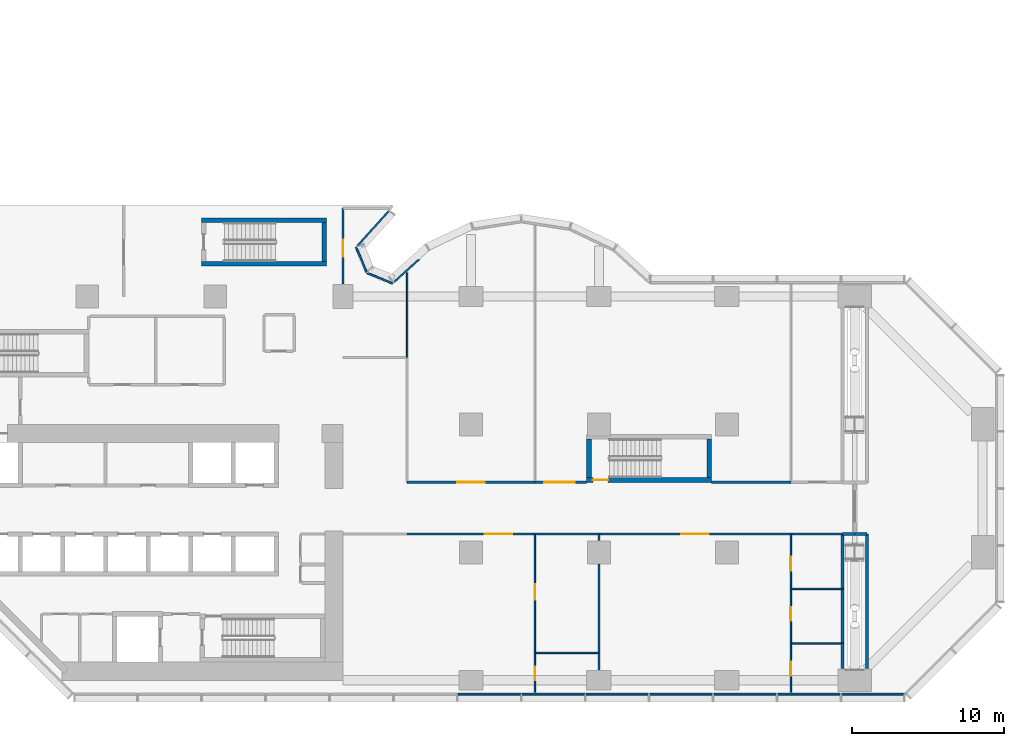
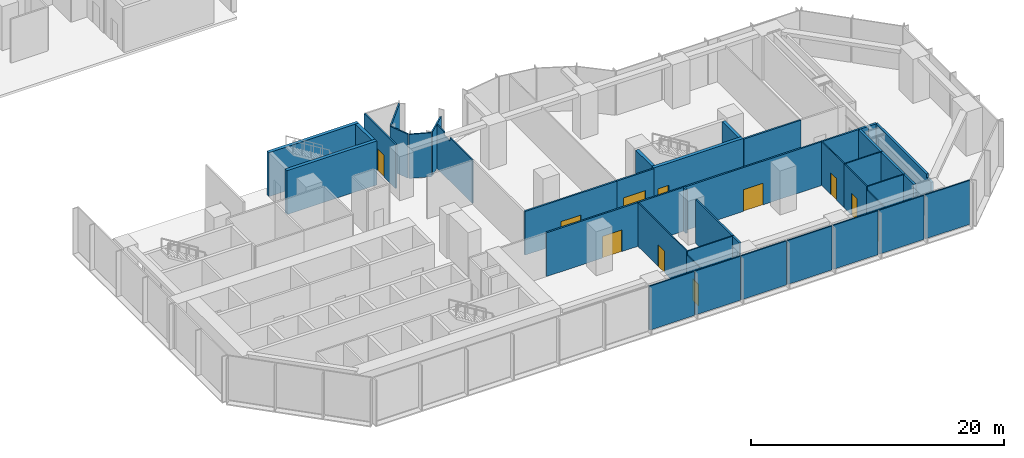
# One storey, part 11 of 18: 43 walls, 11 doors, 11 openings.
"""IFC4 building model written with IfcOpenShell, lengths in metres."""

from ifc_helpers import new_model, si_unit, direction, frame, frame_2d, origin, place, context, subcontext, project, spatial, polyline, rectangle, outline, extrude, material, layer, layer_set, type_object, element, fill, save


model = new_model("IFC4")

# Units and contexts
model_context = context("Model", 3, precision=1e-05, world=origin(), true_north=direction((0.0, 1.0)))
body_context = subcontext(model_context, "Body", "Model", "MODEL_VIEW")
ifc_project = project(units=[si_unit("LENGTHUNIT", "METRE"), si_unit("AREAUNIT", "SQUARE_METRE"), si_unit("VOLUMEUNIT", "CUBIC_METRE"), si_unit("PLANEANGLEUNIT", "RADIAN"), si_unit("MASSUNIT", "GRAM", prefix="KILO")], contexts=[model_context])

# Site, building, storey
site_placement = place(None, origin())
site = spatial("IfcSite", under=ifc_project, at=site_placement, CompositionType="ELEMENT")
building_placement = place(site_placement, origin())
building = spatial("IfcBuilding", under=site, at=building_placement, Name="Brevane Broadcast Tower", CompositionType="ELEMENT")
storey_placement = place(building_placement, frame((0.0, 0.0, 27.5)))
storey = spatial("IfcBuildingStorey", under=building, at=storey_placement, Name="L04", CompositionType="ELEMENT", Elevation=27.5)

# Walls
ifc_material_1 = material(Name="Concrete C80/95", Category="concrete")
ifc_layer_1 = layer(ifc_material_1, 0.300048828125)
ifc_layer_set_1 = layer_set([ifc_layer_1], Name="Core wall 300 mm C80/95")
wall_type_1 = type_object("IfcWallType", Name="Core wall 300 mm C80/95", PredefinedType="SHEAR", material=ifc_layer_set_1)
for number, where, z_axis, x_axis, name in (
    (1, (15.89990234375, 27.35009765625, 0.0), (0.0, 0.0, 1.0), (1.0, 0.0, 0.0), "L04 stair wall ST-3-S"),
    (2, (15.89990234375, 30.199951171875, 0.0), (0.0, 0.0, 1.0), (1.0, 0.0, 0.0), "L04 stair wall ST-3-N"),
):
    element("IfcWall", number, at=place(storey_placement, frame(where, z_axis=z_axis, x_axis=x_axis)), inside=storey, type_object=wall_type_1, Name=name, PredefinedType="SHEAR", context=body_context, shape_type="SweptSolid", body=[
        extrude(rectangle(XDim=8.2001953125, YDim=0.300048828125, at=frame_2d((4.10009765625, 0.0))), origin(), (0.0, 0.0, 1.0), 4.25),
    ])
wall_1_placement = place(storey_placement, frame((23.949951171875, 27.5, 0.0), z_axis=(0.0, 0.0, 1.0), x_axis=(0.0, 1.0, 0.0)))
element("IfcWall", 3, at=wall_1_placement, inside=storey, type_object=wall_type_1, Name="L04 stair wall ST-3-E", PredefinedType="SHEAR", context=body_context, shape_type="SweptSolid", body=[
    extrude(rectangle(XDim=2.550048828125, YDim=0.300048828125, at=frame_2d((1.27490234375, 0.0))), origin(), (0.0, 0.0, 1.0), 4.25),
])

# Wall, opening, door
wall_2_placement = place(storey_placement, frame((49.39990234375, 13.14990234375, 0.0), z_axis=(0.0, 0.0, 1.0), x_axis=(-1.0, 0.0, 0.0)))
wall_2 = element("IfcWall", 4, at=wall_2_placement, inside=storey, type_object=wall_type_1, Name="L04 stair wall ST-4-S", PredefinedType="SHEAR", context=body_context, shape_type="SweptSolid", body=[
    extrude(rectangle(XDim=8.199951171875, YDim=0.300048828125, at=frame_2d((4.10009765625, 0.0))), origin(), (0.0, 0.0, 1.0), 4.25),
])
opening_1_placement = place(wall_2_placement, frame((6.800048828125, 0.0, 0.0)))
opening_1 = element("IfcOpeningElement", 5, at=opening_1_placement, cuts=wall_2, Name="Opening L04-K16", PredefinedType="OPENING", context=body_context, shape_type="SweptSolid", body=[
    extrude(rectangle(XDim=1.0, YDim=2.10009765625, at=frame_2d((0.5, 1.050048828125))), frame((0.0, 0.159912109375, 0.0), z_axis=(0.0, -1.0, 0.0), x_axis=(1.0, 0.0, 0.0)), (0.0, 0.0, 1.0), 0.320068359375),
])
ifc_material_2 = material(Name="Steel", Category="steel")
door_type_1 = type_object("IfcDoorType", Name="Stair door 1000 x 2100", OperationType="SINGLE_SWING_LEFT", PredefinedType="DOOR", material=ifc_material_2)
door_1_placement = place(opening_1_placement, origin())
door_1 = element("IfcDoor", 6, at=door_1_placement, inside=storey, type_object=door_type_1, Name="Door L04-K16", OperationType="SINGLE_SWING_RIGHT", OverallHeight=2.10009765625, OverallWidth=1.0, PredefinedType="DOOR", context=body_context, shape_type="SweptSolid", body=[
    extrude(rectangle(XDim=1.0, YDim=2.10009765625, at=frame_2d((0.5, 1.050048828125))), frame((0.0, 0.02490234375, 0.0), z_axis=(0.0, -1.0, 0.0), x_axis=(1.0, 0.0, 0.0)), (0.0, 0.0, 1.0), 0.050048828125),
])
fill(opening_1, door_1)

# Walls
for number, where, z_axis, x_axis, name in (
    (7, (41.35009765625, 13.300048828125, 0.0), (0.0, 0.0, 1.0), (0.0, 1.0, 0.0), "L04 stair wall ST-4-W"),
    (8, (49.25, 13.300048828125, 0.0), (0.0, 0.0, 1.0), (0.0, 1.0, 0.0), "L04 stair wall ST-4-E"),
):
    element("IfcWall", number, at=place(storey_placement, frame(where, z_axis=z_axis, x_axis=x_axis)), inside=storey, type_object=wall_type_1, Name=name, PredefinedType="SHEAR", context=body_context, shape_type="SweptSolid", body=[
        extrude(rectangle(XDim=2.550048828125, YDim=0.300048828125, at=frame_2d((1.27490234375, 0.0))), origin(), (0.0, 0.0, 1.0), 4.25),
    ])
ifc_material_3 = material(Name="Gypsum board partition")
ifc_layer_2 = layer(ifc_material_3, 0.10009765625)
ifc_layer_set_2 = layer_set([ifc_layer_2], Name="PARTITION 100 STUD")
wall_type_2 = type_object("IfcWallType", Name="PARTITION 100 STUD", PredefinedType="PARTITIONING", material=ifc_layer_set_2)
wall_3_placement = place(storey_placement, frame((29.39990234375, 26.775634765625, 0.0), z_axis=(0.0, 0.0, 1.0), x_axis=(0.0, -1.0, 0.0)))
element("IfcWall", 9, at=wall_3_placement, inside=storey, type_object=wall_type_2, Name="Partition P4-014", PredefinedType="PARTITIONING", context=body_context, shape_type="SweptSolid", body=[
    extrude(outline(polyline([(0.0, 0.0), (5.57568359375, 0.0), (5.57568359375, 4.22998046875), (2.025634765625, 4.22998046875), (2.023681640625, 3.8798828125), (1.127685546875, 3.8798828125), (1.125732421875, 4.22998046875), (0.0, 4.22998046875), (0.0, 0.0)])), frame((0.0, 0.050048828125, 0.0), z_axis=(0.0, -1.0, 0.0), x_axis=(1.0, 0.0, 0.0)), (0.0, 0.0, 1.0), 0.10009765625),
])

# Wall, opening, door
wall_4_placement = place(storey_placement, frame((37.800048828125, 1.800048828125, 0.0), z_axis=(0.0, 0.0, 1.0), x_axis=(0.0, -1.0, 0.0)))
wall_4 = element("IfcWall", 10, at=wall_4_placement, inside=storey, type_object=wall_type_2, Name="Partition P4-027", PredefinedType="PARTITIONING", context=body_context, shape_type="SweptSolid", body=[
    extrude(rectangle(XDim=2.59814453125, YDim=0.10009765625, at=frame_2d((1.299072265625, 0.0))), origin(), (0.0, 0.0, 1.0), 3.8798828125),
])
opening_2_placement = place(wall_4_placement, frame((0.89990234375, 0.0, 0.0)))
opening_2 = element("IfcOpeningElement", 11, at=opening_2_placement, cuts=wall_4, Name="Opening D05-004", PredefinedType="OPENING", context=body_context, shape_type="SweptSolid", body=[
    extrude(rectangle(XDim=0.89990234375, YDim=2.10009765625, at=frame_2d((0.449951171875, 1.050048828125))), frame((0.0, 0.06005859375, 0.0), z_axis=(0.0, -1.0, 0.0), x_axis=(1.0, 0.0, 0.0)), (0.0, 0.0, 1.0), 0.1201171875),
])
ifc_material_4 = material(Name="Timber door leaf", Category="wood")
door_type_2 = type_object("IfcDoorType", Name="DOOR SINGLE 900 INTERNAL", OperationType="SINGLE_SWING_LEFT", PredefinedType="DOOR", material=ifc_material_4)
door_2_placement = place(opening_2_placement, origin())
door_2 = element("IfcDoor", 12, at=door_2_placement, inside=storey, type_object=door_type_2, Name="Door D05-004", OperationType="SINGLE_SWING_LEFT", OverallHeight=2.10009765625, OverallWidth=0.89990234375, PredefinedType="DOOR", context=body_context, shape_type="SweptSolid", body=[
    extrude(rectangle(XDim=0.89990234375, YDim=2.10009765625, at=frame_2d((0.449951171875, 1.050048828125))), frame((0.0, 0.02490234375, 0.0), z_axis=(0.0, -1.0, 0.0), x_axis=(1.0, 0.0, 0.0)), (0.0, 0.0, 1.0), 0.050048828125),
])
fill(opening_2, door_2)

wall_5_placement = place(storey_placement, frame((37.800048828125, 9.60009765625, 0.0), z_axis=(0.0, 0.0, 1.0), x_axis=(0.0, -1.0, 0.0)))
wall_5 = element("IfcWall", 13, at=wall_5_placement, inside=storey, type_object=wall_type_2, Name="Partition P4-028", PredefinedType="PARTITIONING", context=body_context, shape_type="SweptSolid", body=[
    extrude(rectangle(XDim=7.800048828125, YDim=0.10009765625, at=frame_2d((3.89990234375, 0.0))), origin(), (0.0, 0.0, 1.0), 4.22998046875),
])
opening_3_placement = place(wall_5_placement, frame((3.300048828125, 0.0, 0.0)))
opening_3 = element("IfcOpeningElement", 14, at=opening_3_placement, cuts=wall_5, Name="Opening D05-005", PredefinedType="OPENING", context=body_context, shape_type="SweptSolid", body=[
    extrude(rectangle(XDim=1.0, YDim=2.10009765625, at=frame_2d((0.5, 1.050048828125))), frame((0.0, 0.06005859375, 0.0), z_axis=(0.0, -1.0, 0.0), x_axis=(1.0, 0.0, 0.0)), (0.0, 0.0, 1.0), 0.1201171875),
])
door_type_3 = type_object("IfcDoorType", Name="DOOR SINGLE 1000 INTERNAL", OperationType="SINGLE_SWING_LEFT", PredefinedType="DOOR", material=ifc_material_4)
door_3_placement = place(opening_3_placement, origin())
door_3 = element("IfcDoor", 15, at=door_3_placement, inside=storey, type_object=door_type_3, Name="Door D05-005", OperationType="SINGLE_SWING_LEFT", OverallHeight=2.10009765625, OverallWidth=1.0, PredefinedType="DOOR", context=body_context, shape_type="SweptSolid", body=[
    extrude(rectangle(XDim=1.0, YDim=2.10009765625, at=frame_2d((0.5, 1.050048828125))), frame((0.0, 0.02490234375, 0.0), z_axis=(0.0, -1.0, 0.0), x_axis=(1.0, 0.0, 0.0)), (0.0, 0.0, 1.0), 0.050048828125),
])
fill(opening_3, door_3)

# Wall
wall_6_placement = place(storey_placement, frame((37.800048828125, 1.800048828125, 0.0), z_axis=(0.0, 0.0, 1.0), x_axis=(1.0, 0.0, 0.0)))
element("IfcWall", 16, at=wall_6_placement, inside=storey, type_object=wall_type_2, Name="Partition P4-029", PredefinedType="PARTITIONING", context=body_context, shape_type="SweptSolid", body=[
    extrude(rectangle(XDim=4.199951171875, YDim=0.10009765625, at=frame_2d((2.10009765625, 0.0))), origin(), (0.0, 0.0, 1.0), 4.22998046875),
])

# Wall, opening, door
wall_7_placement = place(storey_placement, frame((54.60009765625, 2.39990234375, 0.0), z_axis=(0.0, 0.0, 1.0), x_axis=(0.0, -1.0, 0.0)))
wall_7 = element("IfcWall", 17, at=wall_7_placement, inside=storey, type_object=wall_type_2, Name="Partition P4-033", PredefinedType="PARTITIONING", context=body_context, shape_type="SweptSolid", body=[
    extrude(rectangle(XDim=3.197998046875, YDim=0.10009765625, at=frame_2d((1.59912109375, 0.0))), origin(), (0.0, 0.0, 1.0), 3.8798828125),
])
opening_4_placement = place(wall_7_placement, frame((1.199951171875, 0.0, 0.0)))
opening_4 = element("IfcOpeningElement", 18, at=opening_4_placement, cuts=wall_7, Name="Opening D05-007", PredefinedType="OPENING", context=body_context, shape_type="SweptSolid", body=[
    extrude(rectangle(XDim=0.89990234375, YDim=2.10009765625, at=frame_2d((0.449951171875, 1.050048828125))), frame((0.0, 0.06005859375, 0.0), z_axis=(0.0, -1.0, 0.0), x_axis=(1.0, 0.0, 0.0)), (0.0, 0.0, 1.0), 0.1201171875),
])
door_4_placement = place(opening_4_placement, origin())
door_4 = element("IfcDoor", 19, at=door_4_placement, inside=storey, type_object=door_type_2, Name="Door D05-007", OperationType="SINGLE_SWING_LEFT", OverallHeight=2.10009765625, OverallWidth=0.89990234375, PredefinedType="DOOR", context=body_context, shape_type="SweptSolid", body=[
    extrude(rectangle(XDim=0.89990234375, YDim=2.10009765625, at=frame_2d((0.449951171875, 1.050048828125))), frame((0.0, 0.02490234375, 0.0), z_axis=(0.0, -1.0, 0.0), x_axis=(1.0, 0.0, 0.0)), (0.0, 0.0, 1.0), 0.050048828125),
])
fill(opening_4, door_4)

wall_8_placement = place(storey_placement, frame((54.60009765625, 6.0, 0.0), z_axis=(0.0, 0.0, 1.0), x_axis=(0.0, -1.0, 0.0)))
wall_8 = element("IfcWall", 20, at=wall_8_placement, inside=storey, type_object=wall_type_2, Name="Partition P4-034", PredefinedType="PARTITIONING", context=body_context, shape_type="SweptSolid", body=[
    extrude(rectangle(XDim=3.60009765625, YDim=0.10009765625, at=frame_2d((1.800048828125, 0.0))), origin(), (0.0, 0.0, 1.0), 4.22998046875),
])
opening_5_placement = place(wall_8_placement, frame((1.199951171875, 0.0, 0.0)))
opening_5 = element("IfcOpeningElement", 21, at=opening_5_placement, cuts=wall_8, Name="Opening D05-008", PredefinedType="OPENING", context=body_context, shape_type="SweptSolid", body=[
    extrude(rectangle(XDim=0.89990234375, YDim=2.10009765625, at=frame_2d((0.449951171875, 1.050048828125))), frame((0.0, 0.06005859375, 0.0), z_axis=(0.0, -1.0, 0.0), x_axis=(1.0, 0.0, 0.0)), (0.0, 0.0, 1.0), 0.1201171875),
])
door_5_placement = place(opening_5_placement, origin())
door_5 = element("IfcDoor", 22, at=door_5_placement, inside=storey, type_object=door_type_2, Name="Door D05-008", OperationType="SINGLE_SWING_LEFT", OverallHeight=2.10009765625, OverallWidth=0.89990234375, PredefinedType="DOOR", context=body_context, shape_type="SweptSolid", body=[
    extrude(rectangle(XDim=0.89990234375, YDim=2.10009765625, at=frame_2d((0.449951171875, 1.050048828125))), frame((0.0, 0.02490234375, 0.0), z_axis=(0.0, -1.0, 0.0), x_axis=(1.0, 0.0, 0.0)), (0.0, 0.0, 1.0), 0.050048828125),
])
fill(opening_5, door_5)

wall_9_placement = place(storey_placement, frame((54.60009765625, 9.60009765625, 0.0), z_axis=(0.0, 0.0, 1.0), x_axis=(0.0, -1.0, 0.0)))
wall_9 = element("IfcWall", 23, at=wall_9_placement, inside=storey, type_object=wall_type_2, Name="Partition P4-035", PredefinedType="PARTITIONING", context=body_context, shape_type="SweptSolid", body=[
    extrude(rectangle(XDim=3.60009765625, YDim=0.10009765625, at=frame_2d((1.800048828125, 0.0))), origin(), (0.0, 0.0, 1.0), 4.22998046875),
])
opening_6_placement = place(wall_9_placement, frame((1.5, 0.0, 0.0)))
opening_6 = element("IfcOpeningElement", 24, at=opening_6_placement, cuts=wall_9, Name="Opening D05-009", PredefinedType="OPENING", context=body_context, shape_type="SweptSolid", body=[
    extrude(rectangle(XDim=0.89990234375, YDim=2.10009765625, at=frame_2d((0.449951171875, 1.050048828125))), frame((0.0, 0.06005859375, 0.0), z_axis=(0.0, -1.0, 0.0), x_axis=(1.0, 0.0, 0.0)), (0.0, 0.0, 1.0), 0.1201171875),
])
door_6_placement = place(opening_6_placement, origin())
door_6 = element("IfcDoor", 25, at=door_6_placement, inside=storey, type_object=door_type_2, Name="Door D05-009", OperationType="SINGLE_SWING_LEFT", OverallHeight=2.10009765625, OverallWidth=0.89990234375, PredefinedType="DOOR", context=body_context, shape_type="SweptSolid", body=[
    extrude(rectangle(XDim=0.89990234375, YDim=2.10009765625, at=frame_2d((0.449951171875, 1.050048828125))), frame((0.0, 0.02490234375, 0.0), z_axis=(0.0, -1.0, 0.0), x_axis=(1.0, 0.0, 0.0)), (0.0, 0.0, 1.0), 0.050048828125),
])
fill(opening_6, door_6)

# Walls
for number, where, z_axis, x_axis, name in (
    (26, (54.60009765625, 2.39990234375, 0.0), (0.0, 0.0, 1.0), (1.0, 0.0, 0.0), "Partition P4-036"),
    (27, (54.60009765625, 6.0, 0.0), (0.0, 0.0, 1.0), (1.0, 0.0, 0.0), "Partition P4-037"),
):
    element("IfcWall", number, at=place(storey_placement, frame(where, z_axis=z_axis, x_axis=x_axis)), inside=storey, type_object=wall_type_2, Name=name, PredefinedType="PARTITIONING", context=body_context, shape_type="SweptSolid", body=[
        extrude(rectangle(XDim=3.39990234375, YDim=0.10009765625, at=frame_2d((1.699951171875, 0.0))), origin(), (0.0, 0.0, 1.0), 4.22998046875),
    ])

# Wall, opening, door
ifc_layer_3 = layer(ifc_material_3, 0.14990234375)
ifc_layer_set_3 = layer_set([ifc_layer_3], Name="PARTITION 150 EI 60")
wall_type_3 = type_object("IfcWallType", Name="PARTITION 150 EI 60", PredefinedType="PARTITIONING", material=ifc_layer_set_3)
wall_10_placement = place(storey_placement, frame((25.199951171875, 31.0, 0.0), z_axis=(0.0, 0.0, 1.0), x_axis=(0.0, -1.0, 0.0)))
wall_10 = element("IfcWall", 28, at=wall_10_placement, inside=storey, type_object=wall_type_3, Name="Partition P4-015", PredefinedType="PARTITIONING", context=body_context, shape_type="SweptSolid", body=[
    extrude(rectangle(XDim=4.97998046875, YDim=0.14990234375, at=frame_2d((2.489990234375, 0.0))), origin(), (0.0, 0.0, 1.0), 4.22998046875),
])
opening_7_placement = place(wall_10_placement, frame((2.080078125, 0.0, 0.0)))
opening_7 = element("IfcOpeningElement", 29, at=opening_7_placement, cuts=wall_10, Name="Opening D05-001", PredefinedType="OPENING", context=body_context, shape_type="SweptSolid", body=[
    extrude(rectangle(XDim=1.10009765625, YDim=2.10009765625, at=frame_2d((0.550048828125, 1.050048828125))), frame((0.0, 0.0849609375, 0.0), z_axis=(0.0, -1.0, 0.0), x_axis=(1.0, 0.0, 0.0)), (0.0, 0.0, 1.0), 0.169921875),
])
ifc_material_5 = material(Name="Fire-rated timber door leaf", Category="wood")
door_type_4 = type_object("IfcDoorType", Name="DOOR SINGLE 1100 FD30S", OperationType="SINGLE_SWING_LEFT", PredefinedType="DOOR", material=ifc_material_5)
door_7_placement = place(opening_7_placement, origin())
door_7 = element("IfcDoor", 30, at=door_7_placement, inside=storey, type_object=door_type_4, Name="Door D05-001", OperationType="SINGLE_SWING_RIGHT", OverallHeight=2.10009765625, OverallWidth=1.10009765625, PredefinedType="DOOR", context=body_context, shape_type="SweptSolid", body=[
    extrude(rectangle(XDim=1.10009765625, YDim=2.10009765625, at=frame_2d((0.550048828125, 1.050048828125))), frame((0.0, 0.02490234375, 0.0), z_axis=(0.0, -1.0, 0.0), x_axis=(1.0, 0.0, 0.0)), (0.0, 0.0, 1.0), 0.050048828125),
])
fill(opening_7, door_7)

wall_11_placement = place(storey_placement, frame((37.800048828125, 9.60009765625, 0.0), z_axis=(0.0, 0.0, 1.0), x_axis=(-1.0, 0.0, 0.0)))
wall_11 = element("IfcWall", 31, at=wall_11_placement, inside=storey, type_object=wall_type_3, Name="Partition P4-019", PredefinedType="PARTITIONING", context=body_context, shape_type="SweptSolid", body=[
    extrude(rectangle(XDim=8.400146484375, YDim=0.14990234375, at=frame_2d((4.2001953125, 0.0))), origin(), (0.0, 0.0, 1.0), 4.22998046875),
])
opening_8_placement = place(wall_11_placement, frame((1.5, 0.0, 0.0)))
opening_8 = element("IfcOpeningElement", 32, at=opening_8_placement, cuts=wall_11, Name="Opening D05-003", PredefinedType="OPENING", context=body_context, shape_type="SweptSolid", body=[
    extrude(rectangle(XDim=1.800048828125, YDim=2.10009765625, at=frame_2d((0.89990234375, 1.050048828125))), frame((0.0, 0.0849609375, 0.0), z_axis=(0.0, -1.0, 0.0), x_axis=(1.0, 0.0, 0.0)), (0.0, 0.0, 1.0), 0.169921875),
])
door_type_5 = type_object("IfcDoorType", Name="DOOR DOUBLE 1800 FD30S", OperationType="DOUBLE_DOOR_SINGLE_SWING", PredefinedType="DOOR", material=ifc_material_5)
door_8_placement = place(opening_8_placement, origin())
door_8 = element("IfcDoor", 33, at=door_8_placement, inside=storey, type_object=door_type_5, Name="Door D05-003", OperationType="DOUBLE_DOOR_SINGLE_SWING", OverallHeight=2.10009765625, OverallWidth=1.800048828125, PredefinedType="DOOR", context=body_context, shape_type="SweptSolid", body=[
    extrude(rectangle(XDim=1.800048828125, YDim=2.10009765625, at=frame_2d((0.89990234375, 1.050048828125))), frame((0.0, 0.02490234375, 0.0), z_axis=(0.0, -1.0, 0.0), x_axis=(1.0, 0.0, 0.0)), (0.0, 0.0, 1.0), 0.050048828125),
])
fill(opening_8, door_8)

# Wall
wall_12_placement = place(storey_placement, frame((42.0, 9.60009765625, 0.0), z_axis=(0.0, 0.0, 1.0), x_axis=(-1.0, 0.0, 0.0)))
element("IfcWall", 34, at=wall_12_placement, inside=storey, type_object=wall_type_3, Name="Partition P4-020", PredefinedType="PARTITIONING", context=body_context, shape_type="SweptSolid", body=[
    extrude(rectangle(XDim=4.199951171875, YDim=0.14990234375, at=frame_2d((2.10009765625, 0.0))), origin(), (0.0, 0.0, 1.0), 4.22998046875),
])

# Wall, opening, door
wall_13_placement = place(storey_placement, frame((54.60009765625, 9.60009765625, 0.0), z_axis=(0.0, 0.0, 1.0), x_axis=(-1.0, 0.0, 0.0)))
wall_13 = element("IfcWall", 35, at=wall_13_placement, inside=storey, type_object=wall_type_3, Name="Partition P4-021", PredefinedType="PARTITIONING", context=body_context, shape_type="SweptSolid", body=[
    extrude(rectangle(XDim=12.60009765625, YDim=0.14990234375, at=frame_2d((6.300048828125, 0.0))), origin(), (0.0, 0.0, 1.0), 4.22998046875),
])
opening_9_placement = place(wall_13_placement, frame((5.39990234375, 0.0, 0.0)))
opening_9 = element("IfcOpeningElement", 36, at=opening_9_placement, cuts=wall_13, Name="Opening D05-006", PredefinedType="OPENING", context=body_context, shape_type="SweptSolid", body=[
    extrude(rectangle(XDim=1.800048828125, YDim=2.10009765625, at=frame_2d((0.89990234375, 1.050048828125))), frame((0.0, 0.0849609375, 0.0), z_axis=(0.0, -1.0, 0.0), x_axis=(1.0, 0.0, 0.0)), (0.0, 0.0, 1.0), 0.169921875),
])
door_9_placement = place(opening_9_placement, origin())
door_9 = element("IfcDoor", 37, at=door_9_placement, inside=storey, type_object=door_type_5, Name="Door D05-006", OperationType="DOUBLE_DOOR_SINGLE_SWING", OverallHeight=2.10009765625, OverallWidth=1.800048828125, PredefinedType="DOOR", context=body_context, shape_type="SweptSolid", body=[
    extrude(rectangle(XDim=1.800048828125, YDim=2.10009765625, at=frame_2d((0.89990234375, 1.050048828125))), frame((0.0, 0.02490234375, 0.0), z_axis=(0.0, -1.0, 0.0), x_axis=(1.0, 0.0, 0.0)), (0.0, 0.0, 1.0), 0.050048828125),
])
fill(opening_9, door_9)

# Wall
wall_14_placement = place(storey_placement, frame((58.0, 9.60009765625, 0.0), z_axis=(0.0, 0.0, 1.0), x_axis=(-1.0, 0.0, 0.0)))
element("IfcWall", 38, at=wall_14_placement, inside=storey, type_object=wall_type_3, Name="Partition P4-022", PredefinedType="PARTITIONING", context=body_context, shape_type="SweptSolid", body=[
    extrude(rectangle(XDim=3.39990234375, YDim=0.14990234375, at=frame_2d((1.699951171875, 0.0))), origin(), (0.0, 0.0, 1.0), 4.22998046875),
])

# Wall, opening, door
wall_15_placement = place(storey_placement, frame((29.39990234375, 13.0, 0.0), z_axis=(0.0, 0.0, 1.0), x_axis=(1.0, 0.0, 0.0)))
wall_15 = element("IfcWall", 39, at=wall_15_placement, inside=storey, type_object=wall_type_3, Name="Partition P4-023", PredefinedType="PARTITIONING", context=body_context, shape_type="SweptSolid", body=[
    extrude(rectangle(XDim=8.400146484375, YDim=0.14990234375, at=frame_2d((4.2001953125, 0.0))), origin(), (0.0, 0.0, 1.0), 4.22998046875),
])
opening_10_placement = place(wall_15_placement, frame((3.300048828125, 0.0, 0.0)))
opening_10 = element("IfcOpeningElement", 40, at=opening_10_placement, cuts=wall_15, Name="Opening D05-010", PredefinedType="OPENING", context=body_context, shape_type="SweptSolid", body=[
    extrude(rectangle(XDim=1.800048828125, YDim=2.10009765625, at=frame_2d((0.89990234375, 1.050048828125))), frame((0.0, 0.0849609375, 0.0), z_axis=(0.0, -1.0, 0.0), x_axis=(1.0, 0.0, 0.0)), (0.0, 0.0, 1.0), 0.169921875),
])
door_10_placement = place(opening_10_placement, origin())
door_10 = element("IfcDoor", 41, at=door_10_placement, inside=storey, type_object=door_type_5, Name="Door D05-010", OperationType="DOUBLE_DOOR_SINGLE_SWING", OverallHeight=2.10009765625, OverallWidth=1.800048828125, PredefinedType="DOOR", context=body_context, shape_type="SweptSolid", body=[
    extrude(rectangle(XDim=1.800048828125, YDim=2.10009765625, at=frame_2d((0.89990234375, 1.050048828125))), frame((0.0, 0.02490234375, 0.0), z_axis=(0.0, -1.0, 0.0), x_axis=(1.0, 0.0, 0.0)), (0.0, 0.0, 1.0), 0.050048828125),
])
fill(opening_10, door_10)

wall_16_placement = place(storey_placement, frame((37.800048828125, 13.0, 0.0), z_axis=(0.0, 0.0, 1.0), x_axis=(1.0, 0.0, 0.0)))
wall_16 = element("IfcWall", 42, at=wall_16_placement, inside=storey, type_object=wall_type_3, Name="Partition P4-024", PredefinedType="PARTITIONING", context=body_context, shape_type="SweptSolid", body=[
    extrude(rectangle(XDim=3.39990234375, YDim=0.14990234375, at=frame_2d((1.699951171875, 0.0))), origin(), (0.0, 0.0, 1.0), 4.22998046875),
])
opening_11_placement = place(wall_16_placement, frame((0.60009765625, 0.0, 0.0)))
opening_11 = element("IfcOpeningElement", 43, at=opening_11_placement, cuts=wall_16, Name="Opening D05-011", PredefinedType="OPENING", context=body_context, shape_type="SweptSolid", body=[
    extrude(rectangle(XDim=2.0, YDim=2.39990234375, at=frame_2d((1.0, 1.199951171875))), frame((0.0, 0.0849609375, 0.0), z_axis=(0.0, -1.0, 0.0), x_axis=(1.0, 0.0, 0.0)), (0.0, 0.0, 1.0), 0.169921875),
])
door_type_6 = type_object("IfcDoorType", Name="DOOR DOUBLE 2000 FD30S", OperationType="DOUBLE_DOOR_SINGLE_SWING", PredefinedType="DOOR", material=ifc_material_5)
door_11_placement = place(opening_11_placement, origin())
door_11 = element("IfcDoor", 44, at=door_11_placement, inside=storey, type_object=door_type_6, Name="Door D05-011", OperationType="DOUBLE_DOOR_SINGLE_SWING", OverallHeight=2.39990234375, OverallWidth=2.0, PredefinedType="DOOR", context=body_context, shape_type="SweptSolid", body=[
    extrude(rectangle(XDim=2.0, YDim=2.39990234375, at=frame_2d((1.0, 1.199951171875))), frame((0.0, 0.02490234375, 0.0), z_axis=(0.0, -1.0, 0.0), x_axis=(1.0, 0.0, 0.0)), (0.0, 0.0, 1.0), 0.050048828125),
])
fill(opening_11, door_11)

# Walls
wall_17_placement = place(storey_placement, frame((49.39990234375, 13.0, 0.0), z_axis=(0.0, 0.0, 1.0), x_axis=(1.0, 0.0, 0.0)))
element("IfcWall", 45, at=wall_17_placement, inside=storey, type_object=wall_type_3, Name="Partition P4-025", PredefinedType="PARTITIONING", context=body_context, shape_type="SweptSolid", body=[
    extrude(rectangle(XDim=5.2001953125, YDim=0.14990234375, at=frame_2d((2.60009765625, 0.0))), origin(), (0.0, 0.0, 1.0), 4.22998046875),
])
wall_18_placement = place(storey_placement, frame((42.0, 1.800048828125, 0.0), z_axis=(0.0, 0.0, 1.0), x_axis=(0.0, -1.0, 0.0)))
element("IfcWall", 46, at=wall_18_placement, inside=storey, type_object=wall_type_3, Name="Partition P4-030", PredefinedType="PARTITIONING", context=body_context, shape_type="SweptSolid", body=[
    extrude(rectangle(XDim=1.130126953125, YDim=0.14990234375, at=frame_2d((0.56494140625, 0.0))), origin(), (0.0, 0.0, 1.0), 4.22998046875),
])
wall_19_placement = place(storey_placement, frame((42.0, 9.60009765625, 0.0), z_axis=(0.0, 0.0, 1.0), x_axis=(0.0, -1.0, 0.0)))
element("IfcWall", 47, at=wall_19_placement, inside=storey, type_object=wall_type_3, Name="Partition P4-031", PredefinedType="PARTITIONING", context=body_context, shape_type="SweptSolid", body=[
    extrude(rectangle(XDim=0.43017578125, YDim=0.14990234375, at=frame_2d((0.215087890625, 0.0))), origin(), (0.0, 0.0, 1.0), 4.22998046875),
])
wall_20_placement = place(storey_placement, frame((42.0, 7.6298828125, 0.0), z_axis=(0.0, 0.0, 1.0), x_axis=(0.0, -1.0, 0.0)))
element("IfcWall", 48, at=wall_20_placement, inside=storey, type_object=wall_type_3, Name="Partition P4-032", PredefinedType="PARTITIONING", context=body_context, shape_type="SweptSolid", body=[
    extrude(rectangle(XDim=5.829833984375, YDim=0.14990234375, at=frame_2d((2.9150390625, 0.0))), origin(), (0.0, 0.0, 1.0), 4.22998046875),
])
ifc_layer_4 = layer(ifc_material_3, 0.199951171875)
ifc_layer_set_4 = layer_set([ifc_layer_4], Name="PARTITION 200 EI 120")
wall_type_4 = type_object("IfcWallType", Name="PARTITION 200 EI 120", PredefinedType="PARTITIONING", material=ifc_layer_set_4)
for number, where, z_axis, x_axis, name in (
    (49, (58.0, 9.60009765625, 0.0), (0.0, 0.0, 1.0), (1.0, 0.0, 0.0), "Partition P4-001"),
    (50, (58.800048828125, 9.60009765625, 0.0), (0.0, 0.0, 1.0), (1.0, 0.0, 0.0), "Partition P4-002"),
):
    element("IfcWall", number, at=place(storey_placement, frame(where, z_axis=z_axis, x_axis=x_axis)), inside=storey, type_object=wall_type_4, Name=name, PredefinedType="PARTITIONING", context=body_context, shape_type="SweptSolid", body=[
        extrude(rectangle(XDim=0.800048828125, YDim=0.199951171875, at=frame_2d((0.39990234375, 0.0))), origin(), (0.0, 0.0, 1.0), 4.22998046875),
    ])
wall_21_placement = place(storey_placement, frame((59.60009765625, 9.60009765625, 0.0), z_axis=(0.0, 0.0, 1.0), x_axis=(0.0, -1.0, 0.0)))
element("IfcWall", 51, at=wall_21_placement, inside=storey, type_object=wall_type_4, Name="Partition P4-003", PredefinedType="PARTITIONING", context=body_context, shape_type="SweptSolid", body=[
    extrude(outline(polyline([(0.0, 0.0), (8.830078125, 0.0), (8.830078125, 3.8798828125), (8.08642578125, 3.8798828125), (8.084228515625, 4.22998046875), (0.0, 4.22998046875), (0.0, 0.0)])), frame((0.0, 0.10009765625, 0.0), z_axis=(0.0, -1.0, 0.0), x_axis=(1.0, 0.0, 0.0)), (0.0, 0.0, 1.0), 0.199951171875),
])
wall_22_placement = place(storey_placement, frame((58.0, 0.77001953125, 0.0), z_axis=(0.0, 0.0, 1.0), x_axis=(0.0, 1.0, 0.0)))
element("IfcWall", 52, at=wall_22_placement, inside=storey, type_object=wall_type_4, Name="Partition P4-004", PredefinedType="PARTITIONING", context=body_context, shape_type="SweptSolid", body=[
    extrude(rectangle(XDim=1.6298828125, YDim=0.199951171875, at=frame_2d((0.81494140625, 0.0))), origin(), (0.0, 0.0, 1.0), 4.22998046875),
])
for number, where, z_axis, x_axis, name in (
    (53, (58.0, 2.39990234375, 0.0), (0.0, 0.0, 1.0), (0.0, 1.0, 0.0), "Partition P4-005"),
    (54, (58.0, 6.0, 0.0), (0.0, 0.0, 1.0), (0.0, 1.0, 0.0), "Partition P4-006"),
):
    element("IfcWall", number, at=place(storey_placement, frame(where, z_axis=z_axis, x_axis=x_axis)), inside=storey, type_object=wall_type_4, Name=name, PredefinedType="PARTITIONING", context=body_context, shape_type="SweptSolid", body=[
        extrude(rectangle(XDim=3.60009765625, YDim=0.199951171875, at=frame_2d((1.800048828125, 0.0))), origin(), (0.0, 0.0, 1.0), 4.22998046875),
    ])
ifc_material_6 = material(Name="Precast concrete C40/50", Category="concrete")
ifc_layer_5 = layer(ifc_material_6, 0.1201171875)
ifc_layer_set_5 = layer_set([ifc_layer_5], Name="Podium precast cladding wall 120 C40/50")
wall_type_5 = type_object("IfcWallType", Name="Podium precast cladding wall 120 C40/50", PredefinedType="SOLIDWALL", material=ifc_layer_set_5)
wall_23_placement = place(storey_placement, origin())
element("IfcWall", 55, at=wall_23_placement, inside=storey, type_object=wall_type_5, Name="Podium precast cladding wall", PredefinedType="SOLIDWALL", context=body_context, shape_type="SweptSolid", body=[
    extrude(outline(polyline([(36.85498046875, -0.969970703125), (36.85498046875, -0.85009765625), (32.7451171875, -0.85009765625), (32.7451171875, -0.969970703125), (36.85498046875, -0.969970703125)])), origin(), (0.0, 0.0, 1.0), 4.25),
])
wall_24_placement = place(storey_placement, origin())
element("IfcWall", 56, at=wall_24_placement, inside=storey, type_object=wall_type_5, Name="Podium precast cladding wall", PredefinedType="SOLIDWALL", context=body_context, shape_type="SweptSolid", body=[
    extrude(outline(polyline([(41.054931640625, -0.969970703125), (41.054931640625, -0.85009765625), (36.945068359375, -0.85009765625), (36.945068359375, -0.969970703125), (41.054931640625, -0.969970703125)])), origin(), (0.0, 0.0, 1.0), 4.25),
])
wall_25_placement = place(storey_placement, origin())
element("IfcWall", 57, at=wall_25_placement, inside=storey, type_object=wall_type_5, Name="Podium precast cladding wall", PredefinedType="SOLIDWALL", context=body_context, shape_type="SweptSolid", body=[
    extrude(outline(polyline([(45.2548828125, -0.969970703125), (45.2548828125, -0.85009765625), (41.14501953125, -0.85009765625), (41.14501953125, -0.969970703125), (45.2548828125, -0.969970703125)])), origin(), (0.0, 0.0, 1.0), 4.25),
])
wall_26_placement = place(storey_placement, origin())
element("IfcWall", 58, at=wall_26_placement, inside=storey, type_object=wall_type_5, Name="Podium precast cladding wall", PredefinedType="SOLIDWALL", context=body_context, shape_type="SweptSolid", body=[
    extrude(outline(polyline([(49.455078125, -0.969970703125), (49.455078125, -0.85009765625), (45.344970703125, -0.85009765625), (45.344970703125, -0.969970703125), (49.455078125, -0.969970703125)])), origin(), (0.0, 0.0, 1.0), 4.25),
])
wall_27_placement = place(storey_placement, origin())
element("IfcWall", 59, at=wall_27_placement, inside=storey, type_object=wall_type_5, Name="Podium precast cladding wall", PredefinedType="SOLIDWALL", context=body_context, shape_type="SweptSolid", body=[
    extrude(outline(polyline([(53.655029296875, -0.969970703125), (53.655029296875, -0.85009765625), (49.544921875, -0.85009765625), (49.544921875, -0.969970703125), (53.655029296875, -0.969970703125)])), origin(), (0.0, 0.0, 1.0), 4.25),
])
wall_28_placement = place(storey_placement, origin())
element("IfcWall", 60, at=wall_28_placement, inside=storey, type_object=wall_type_5, Name="Podium precast cladding wall", PredefinedType="SOLIDWALL", context=body_context, shape_type="SweptSolid", body=[
    extrude(outline(polyline([(57.85498046875, -0.969970703125), (57.85498046875, -0.85009765625), (53.7451171875, -0.85009765625), (53.7451171875, -0.969970703125), (57.85498046875, -0.969970703125)])), origin(), (0.0, 0.0, 1.0), 4.25),
])
wall_29_placement = place(storey_placement, origin())
element("IfcWall", 61, at=wall_29_placement, inside=storey, type_object=wall_type_5, Name="Podium precast cladding wall", PredefinedType="SOLIDWALL", context=body_context, shape_type="SweptSolid", body=[
    extrude(outline(polyline([(62.054931640625, -0.969970703125), (62.054931640625, -0.85009765625), (57.945068359375, -0.85009765625), (57.945068359375, -0.969970703125), (62.054931640625, -0.969970703125)])), origin(), (0.0, 0.0, 1.0), 4.25),
])
wall_30_placement = place(storey_placement, origin())
element("IfcWall", 62, at=wall_30_placement, inside=storey, type_object=wall_type_5, Name="Podium precast cladding wall", PredefinedType="SOLIDWALL", context=body_context, shape_type="SweptSolid", body=[
    extrude(outline(polyline([(30.25634765625, 27.619384765625), (30.077392578125, 27.619384765625), (28.486572265625, 26.18212890625), (28.56689453125, 26.093017578125), (30.25634765625, 27.619384765625)])), origin(), (0.0, 0.0, 1.0), 4.25),
])
wall_31_placement = place(storey_placement, origin())
element("IfcWall", 63, at=wall_31_placement, inside=storey, type_object=wall_type_5, Name="Podium precast cladding wall", PredefinedType="SOLIDWALL", context=body_context, shape_type="SweptSolid", body=[
    extrude(outline(polyline([(28.412109375, 26.00537109375), (28.4580078125, 26.1162109375), (26.846923828125, 26.783447265625), (26.755126953125, 26.691650390625), (28.412109375, 26.00537109375)])), origin(), (0.0, 0.0, 1.0), 4.25),
])
wall_32_placement = place(storey_placement, origin())
element("IfcWall", 64, at=wall_32_placement, inside=storey, type_object=wall_type_5, Name="Podium precast cladding wall", PredefinedType="SOLIDWALL", context=body_context, shape_type="SweptSolid", body=[
    extrude(outline(polyline([(26.691650390625, 26.755126953125), (26.783447265625, 26.846923828125), (26.1162109375, 28.4580078125), (26.00537109375, 28.412109375), (26.691650390625, 26.755126953125)])), origin(), (0.0, 0.0, 1.0), 4.25),
])
wall_33_placement = place(storey_placement, origin())
element("IfcWall", 65, at=wall_33_placement, inside=storey, type_object=wall_type_5, Name="Podium precast cladding wall", PredefinedType="SOLIDWALL", context=body_context, shape_type="SweptSolid", body=[
    extrude(outline(polyline([(26.093017578125, 28.56689453125), (26.18212890625, 28.486572265625), (28.267333984375, 30.794677734375), (28.16650390625, 30.862060546875), (26.093017578125, 28.56689453125)])), origin(), (0.0, 0.0, 1.0), 4.25),
])

save(model, "model.ifc")
